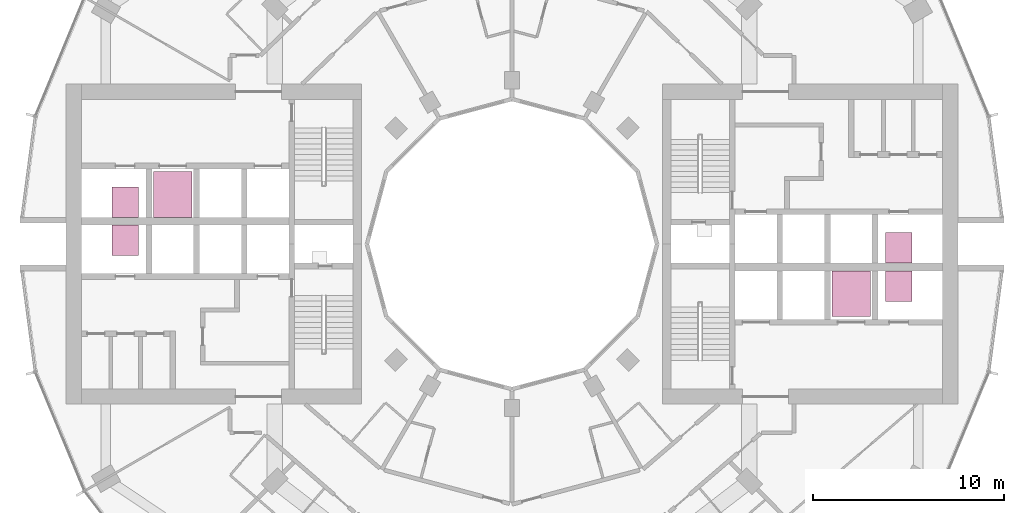
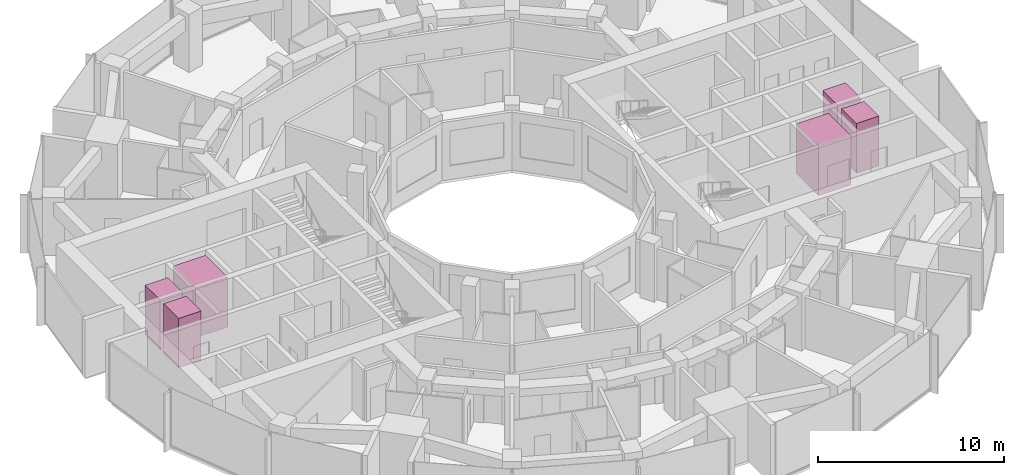
# One storey, part 15 of 15: 6 transport elements.
"""IFC4 building model written with IfcOpenShell, lengths in metres."""

from ifc_helpers import new_model, si_unit, direction, frame, origin, origin_2d, place, context, subcontext, project, spatial, rectangle, extrude, material, type_object, element, save


model = new_model("IFC4")

# Units and contexts
model_context = context("Model", 3, precision=1e-05, world=origin(), true_north=direction((0.0, 1.0)))
body_context = subcontext(model_context, "Body", "Model", "MODEL_VIEW")
ifc_project = project(units=[si_unit("LENGTHUNIT", "METRE"), si_unit("AREAUNIT", "SQUARE_METRE"), si_unit("VOLUMEUNIT", "CUBIC_METRE"), si_unit("PLANEANGLEUNIT", "RADIAN"), si_unit("MASSUNIT", "GRAM", prefix="KILO")], contexts=[model_context])

# Site, building, storey
site_placement = place(None, origin())
site = spatial("IfcSite", under=ifc_project, at=site_placement, CompositionType="ELEMENT")
building_placement = place(site_placement, origin())
building = spatial("IfcBuilding", under=site, at=building_placement, Name="Torre Brocal", CompositionType="ELEMENT")
storey_placement = place(building_placement, frame((0.0, 0.0, 55.39990234375)))
storey = spatial("IfcBuildingStorey", under=building, at=storey_placement, Name="L12", CompositionType="ELEMENT", Elevation=55.39990234375)

# Transport elements
ifc_material_1 = material(Name="Stainless steel AISI 316", Category="steel")
transport_element_type_1 = type_object("IfcTransportElementType", Name="PASSENGER LIFT 2000", PredefinedType="ELEVATOR", material=ifc_material_1)
for number, where, z_axis, x_axis, name in (
    (1, (97.800048828125, 72.39990234375, 0.0), (0.0, 0.0, 1.0), (1.0, 0.0, 0.0), "LOW RISE LIFT E-LR2"),
    (2, (62.199951171875, 77.60009765625, 0.0), (0.0, 0.0, 1.0), (1.0, 0.0, 0.0), "LOW RISE LIFT W-LR2"),
):
    element("IfcTransportElement", number, at=place(storey_placement, frame(where, z_axis=z_axis, x_axis=x_axis)), inside=storey, type_object=transport_element_type_1, Name=name, PredefinedType="ELEVATOR", context=body_context, shape_type="SweptSolid", body=[
        extrude(rectangle(XDim=2.0, YDim=2.39990234375, at=origin_2d()), origin(), (0.0, 0.0, 1.0), 3.25),
    ])
ifc_material_2 = material(Name="Stainless steel AISI 316", Category="steel")
transport_element_type_2 = type_object("IfcTransportElementType", Name="PASSENGER LIFT 900", PredefinedType="ELEVATOR", material=ifc_material_2)
for number, where, z_axis, x_axis, name in (
    (3, (100.300048828125, 74.800048828125, 0.0), (0.0, 0.0, 1.0), (1.0, 0.0, 0.0), "LOW RISE LIFT E-LR1"),
    (4, (100.300048828125, 72.800048828125, 0.0), (0.0, 0.0, 1.0), (1.0, 0.0, 0.0), "LOW RISE LIFT E-LR3"),
    (5, (59.699951171875, 75.199951171875, 0.0), (0.0, 0.0, 1.0), (1.0, 0.0, 0.0), "LOW RISE LIFT W-LR1"),
    (6, (59.699951171875, 77.199951171875, 0.0), (0.0, 0.0, 1.0), (1.0, 0.0, 0.0), "LOW RISE LIFT W-LR3"),
):
    element("IfcTransportElement", number, at=place(storey_placement, frame(where, z_axis=z_axis, x_axis=x_axis)), inside=storey, type_object=transport_element_type_2, Name=name, PredefinedType="ELEVATOR", context=body_context, shape_type="SweptSolid", body=[
        extrude(rectangle(XDim=1.39990234375, YDim=1.60009765625, at=origin_2d()), origin(), (0.0, 0.0, 1.0), 3.25),
    ])

save(model, "model.ifc")
